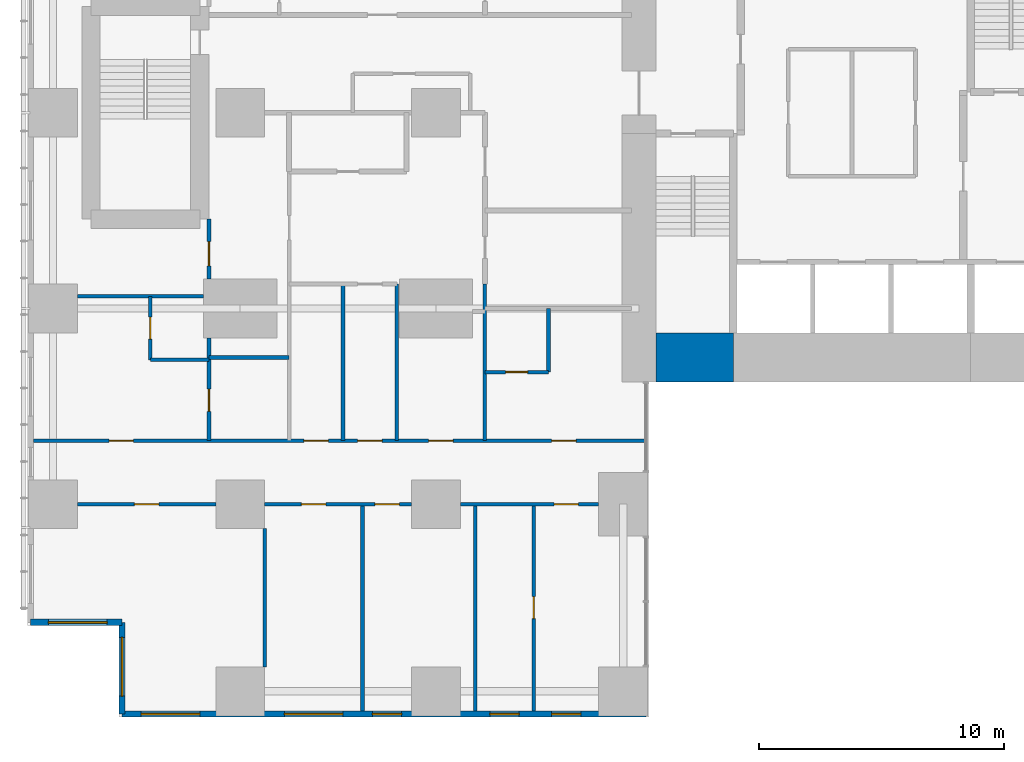
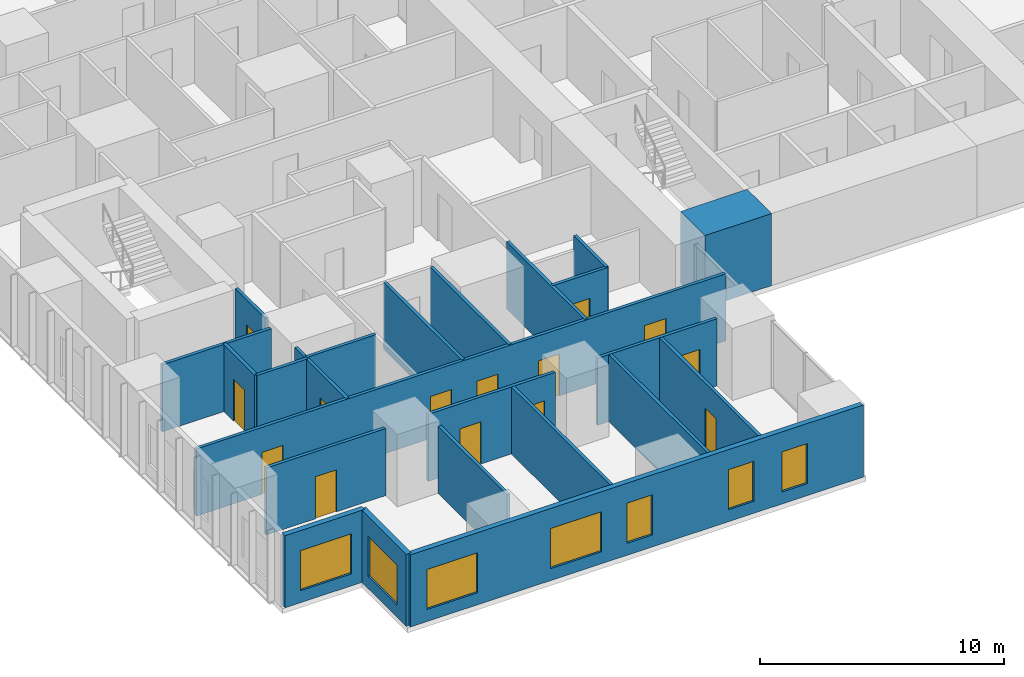
# One storey, part 12 of 20: 23 walls, 14 doors, 7 windows, 21 openings.
"""IFC4 building model written with IfcOpenShell, lengths in metres."""

from ifc_helpers import new_model, si_unit, direction, frame, frame_2d, origin, place, context, subcontext, project, spatial, rectangle, extrude, material, layer, layer_set, type_object, element, fill, save


model = new_model("IFC4")

# Units and contexts
model_context = context("Model", 3, precision=1e-05, world=origin(), true_north=direction((0.0, 1.0)))
body_context = subcontext(model_context, "Body", "Model", "MODEL_VIEW")
ifc_project = project(units=[si_unit("LENGTHUNIT", "METRE"), si_unit("AREAUNIT", "SQUARE_METRE"), si_unit("VOLUMEUNIT", "CUBIC_METRE"), si_unit("PLANEANGLEUNIT", "RADIAN"), si_unit("MASSUNIT", "GRAM", prefix="KILO")], contexts=[model_context])

# Site, building, storey
site_placement = place(None, origin())
site = spatial("IfcSite", under=ifc_project, at=site_placement, CompositionType="ELEMENT")
building_placement = place(site_placement, origin())
building = spatial("IfcBuilding", under=site, at=building_placement, Name="Cleftline Residences", CompositionType="ELEMENT")
storey_placement = place(building_placement, frame((0.0, 0.0, 54.800048828125)))
storey = spatial("IfcBuildingStorey", under=building, at=storey_placement, Name="L13", CompositionType="ELEMENT", Elevation=54.800048828125)

# Wall
ifc_material_1 = material(Name="Concrete B70", Category="concrete")
ifc_layer_1 = layer(ifc_material_1, 2.0)
ifc_layer_set_1 = layer_set([ifc_layer_1], Name="CORE WALL 2000")
wall_type_1 = type_object("IfcWallType", Name="CORE WALL 2000", PredefinedType="SHEAR", material=ifc_layer_set_1)
wall_1_placement = place(storey_placement, frame((25.0, 14.0, 0.0), z_axis=(0.0, 0.0, 1.0), x_axis=(1.0, 0.0, 0.0)))
element("IfcWall", 1, at=wall_1_placement, inside=storey, type_object=wall_type_1, Name="Core wall S1", PredefinedType="SHEAR", context=body_context, shape_type="SweptSolid", body=[
    extrude(rectangle(XDim=3.14990234375, YDim=2.0, at=frame_2d((1.574951171875, 0.0))), origin(), (0.0, 0.0, 1.0), 3.599853515625),
])

# Wall, opening, window
ifc_material_2 = material(Name="Rendered reinforced concrete blockwork", Category="masonry")
ifc_layer_2 = layer(ifc_material_2, 0.25)
ifc_layer_set_2 = layer_set([ifc_layer_2], Name="EXTERNAL WALL 250")
wall_type_2 = type_object("IfcWallType", Name="EXTERNAL WALL 250", PredefinedType="SOLIDWALL", material=ifc_layer_set_2)
wall_2_placement = place(storey_placement, frame((-0.574951171875, 3.175048828125, 0.0), z_axis=(0.0, 0.0, 1.0), x_axis=(1.0, 0.0, 0.0)))
wall_2 = element("IfcWall", 2, at=wall_2_placement, inside=storey, type_object=wall_type_2, Name="External wall", PredefinedType="SOLIDWALL", context=body_context, shape_type="SweptSolid", body=[
    extrude(rectangle(XDim=3.75, YDim=0.25, at=frame_2d((1.875, 0.0))), origin(), (0.0, 0.0, 1.0), 3.599853515625),
])
opening_1_placement = place(wall_2_placement, frame((0.737548828125, 0.0, 0.60009765625)))
opening_1 = element("IfcOpeningElement", 3, at=opening_1_placement, cuts=wall_2, Name="Opening W6", PredefinedType="OPENING", context=body_context, shape_type="SweptSolid", body=[
    extrude(rectangle(XDim=2.39990234375, YDim=2.0, at=frame_2d((1.199951171875, 1.0))), frame((0.0, 0.135009765625, 0.0), z_axis=(0.0, -1.0, 0.0), x_axis=(1.0, 0.0, 0.0)), (0.0, 0.0, 1.0), 0.27001953125),
])
ifc_material_3 = material(Name="Aluminium frame, clear double glazing", Category="aluminium")
window_type_1 = type_object("IfcWindowType", Name="WINDOW 2400X2000", PartitioningType="DOUBLE_PANEL_VERTICAL", PredefinedType="WINDOW", material=ifc_material_3)
window_1_placement = place(opening_1_placement, origin())
window_1 = element("IfcWindow", 4, at=window_1_placement, inside=storey, type_object=window_type_1, Name="Window", OverallHeight=2.0, OverallWidth=2.39990234375, PartitioningType="SINGLE_PANEL", PredefinedType="WINDOW", context=body_context, shape_type="SweptSolid", body=[
    extrude(rectangle(XDim=2.39990234375, YDim=2.0, at=frame_2d((1.199951171875, 1.0))), frame((0.0, 0.030029296875, 0.0), z_axis=(0.0, -1.0, 0.0), x_axis=(1.0, 0.0, 0.0)), (0.0, 0.0, 1.0), 0.06005859375),
])
fill(opening_1, window_1)

wall_3_placement = place(storey_placement, frame((3.175048828125, 3.175048828125, 0.0), z_axis=(0.0, 0.0, 1.0), x_axis=(0.0, -1.0, 0.0)))
wall_3 = element("IfcWall", 5, at=wall_3_placement, inside=storey, type_object=wall_type_2, Name="External wall", PredefinedType="SOLIDWALL", context=body_context, shape_type="SweptSolid", body=[
    extrude(rectangle(XDim=3.75, YDim=0.25, at=frame_2d((1.875, 0.0))), origin(), (0.0, 0.0, 1.0), 3.599853515625),
])
opening_2_placement = place(wall_3_placement, frame((0.612548828125, 0.0, 0.60009765625)))
opening_2 = element("IfcOpeningElement", 6, at=opening_2_placement, cuts=wall_3, Name="Opening W6", PredefinedType="OPENING", context=body_context, shape_type="SweptSolid", body=[
    extrude(rectangle(XDim=2.39990234375, YDim=2.0, at=frame_2d((1.199951171875, 1.0))), frame((0.0, 0.135009765625, 0.0), z_axis=(0.0, -1.0, 0.0), x_axis=(1.0, 0.0, 0.0)), (0.0, 0.0, 1.0), 0.27001953125),
])
window_2_placement = place(opening_2_placement, origin())
window_2 = element("IfcWindow", 7, at=window_2_placement, inside=storey, type_object=window_type_1, Name="Window", OverallHeight=2.0, OverallWidth=2.39990234375, PartitioningType="SINGLE_PANEL", PredefinedType="WINDOW", context=body_context, shape_type="SweptSolid", body=[
    extrude(rectangle(XDim=2.39990234375, YDim=2.0, at=frame_2d((1.199951171875, 1.0))), frame((0.0, 0.030029296875, 0.0), z_axis=(0.0, -1.0, 0.0), x_axis=(1.0, 0.0, 0.0)), (0.0, 0.0, 1.0), 0.06005859375),
])
fill(opening_2, window_2)

# Wall, openings, windows
wall_4_placement = place(storey_placement, frame((3.175048828125, -0.574951171875, 0.0), z_axis=(0.0, 0.0, 1.0), x_axis=(1.0, 0.0, 0.0)))
wall_4 = element("IfcWall", 8, at=wall_4_placement, inside=storey, type_object=wall_type_2, Name="External wall", PredefinedType="SOLIDWALL", context=body_context, shape_type="SweptSolid", body=[
    extrude(rectangle(XDim=21.39990234375, YDim=0.25, at=frame_2d((10.699951171875, 0.0))), origin(), (0.0, 0.0, 1.0), 3.599853515625),
])
opening_3_placement = place(wall_4_placement, frame((0.77490234375, 0.0, 0.60009765625)))
opening_3 = element("IfcOpeningElement", 9, at=opening_3_placement, cuts=wall_4, Name="Opening W6", PredefinedType="OPENING", context=body_context, shape_type="SweptSolid", body=[
    extrude(rectangle(XDim=2.39990234375, YDim=2.0, at=frame_2d((1.199951171875, 1.0))), frame((0.0, 0.135009765625, 0.0), z_axis=(0.0, -1.0, 0.0), x_axis=(1.0, 0.0, 0.0)), (0.0, 0.0, 1.0), 0.27001953125),
])
opening_4_placement = place(wall_4_placement, frame((6.625, 0.0, 0.60009765625)))
opening_4 = element("IfcOpeningElement", 10, at=opening_4_placement, cuts=wall_4, Name="Opening W6", PredefinedType="OPENING", context=body_context, shape_type="SweptSolid", body=[
    extrude(rectangle(XDim=2.39990234375, YDim=2.0, at=frame_2d((1.199951171875, 1.0))), frame((0.0, 0.135009765625, 0.0), z_axis=(0.0, -1.0, 0.0), x_axis=(1.0, 0.0, 0.0)), (0.0, 0.0, 1.0), 0.27001953125),
])
opening_5_placement = place(wall_4_placement, frame((10.22509765625, 0.0, 0.60009765625)))
opening_5 = element("IfcOpeningElement", 11, at=opening_5_placement, cuts=wall_4, Name="Opening W8", PredefinedType="OPENING", context=body_context, shape_type="SweptSolid", body=[
    extrude(rectangle(XDim=1.199951171875, YDim=2.0, at=frame_2d((0.60009765625, 1.0))), frame((0.0, 0.135009765625, 0.0), z_axis=(0.0, -1.0, 0.0), x_axis=(1.0, 0.0, 0.0)), (0.0, 0.0, 1.0), 0.27001953125),
])
opening_6_placement = place(wall_4_placement, frame((15.02490234375, 0.0, 0.60009765625)))
opening_6 = element("IfcOpeningElement", 12, at=opening_6_placement, cuts=wall_4, Name="Opening W8", PredefinedType="OPENING", context=body_context, shape_type="SweptSolid", body=[
    extrude(rectangle(XDim=1.199951171875, YDim=2.0, at=frame_2d((0.60009765625, 1.0))), frame((0.0, 0.135009765625, 0.0), z_axis=(0.0, -1.0, 0.0), x_axis=(1.0, 0.0, 0.0)), (0.0, 0.0, 1.0), 0.27001953125),
])
opening_7_placement = place(wall_4_placement, frame((17.550048828125, 0.0, 0.60009765625)))
opening_7 = element("IfcOpeningElement", 13, at=opening_7_placement, cuts=wall_4, Name="Opening W8", PredefinedType="OPENING", context=body_context, shape_type="SweptSolid", body=[
    extrude(rectangle(XDim=1.199951171875, YDim=2.0, at=frame_2d((0.60009765625, 1.0))), frame((0.0, 0.135009765625, 0.0), z_axis=(0.0, -1.0, 0.0), x_axis=(1.0, 0.0, 0.0)), (0.0, 0.0, 1.0), 0.27001953125),
])
ifc_material_4 = material(Name="Aluminium frame, clear double glazing", Category="aluminium")
window_type_2 = type_object("IfcWindowType", Name="WINDOW 1200X2000", PartitioningType="DOUBLE_PANEL_VERTICAL", PredefinedType="WINDOW", material=ifc_material_4)
window_3_placement = place(opening_5_placement, origin())
window_3 = element("IfcWindow", 14, at=window_3_placement, inside=storey, type_object=window_type_2, Name="Window", OverallHeight=2.0, OverallWidth=1.199951171875, PartitioningType="SINGLE_PANEL", PredefinedType="WINDOW", context=body_context, shape_type="SweptSolid", body=[
    extrude(rectangle(XDim=1.199951171875, YDim=2.0, at=frame_2d((0.60009765625, 1.0))), frame((0.0, 0.030029296875, 0.0), z_axis=(0.0, -1.0, 0.0), x_axis=(1.0, 0.0, 0.0)), (0.0, 0.0, 1.0), 0.06005859375),
])
fill(opening_5, window_3)
window_4_placement = place(opening_6_placement, origin())
window_4 = element("IfcWindow", 15, at=window_4_placement, inside=storey, type_object=window_type_2, Name="Window", OverallHeight=2.0, OverallWidth=1.199951171875, PartitioningType="SINGLE_PANEL", PredefinedType="WINDOW", context=body_context, shape_type="SweptSolid", body=[
    extrude(rectangle(XDim=1.199951171875, YDim=2.0, at=frame_2d((0.60009765625, 1.0))), frame((0.0, 0.030029296875, 0.0), z_axis=(0.0, -1.0, 0.0), x_axis=(1.0, 0.0, 0.0)), (0.0, 0.0, 1.0), 0.06005859375),
])
fill(opening_6, window_4)
window_5_placement = place(opening_7_placement, origin())
window_5 = element("IfcWindow", 16, at=window_5_placement, inside=storey, type_object=window_type_2, Name="Window", OverallHeight=2.0, OverallWidth=1.199951171875, PartitioningType="SINGLE_PANEL", PredefinedType="WINDOW", context=body_context, shape_type="SweptSolid", body=[
    extrude(rectangle(XDim=1.199951171875, YDim=2.0, at=frame_2d((0.60009765625, 1.0))), frame((0.0, 0.030029296875, 0.0), z_axis=(0.0, -1.0, 0.0), x_axis=(1.0, 0.0, 0.0)), (0.0, 0.0, 1.0), 0.06005859375),
])
fill(opening_7, window_5)
window_6_placement = place(opening_3_placement, origin())
window_6 = element("IfcWindow", 17, at=window_6_placement, inside=storey, type_object=window_type_1, Name="Window", OverallHeight=2.0, OverallWidth=2.39990234375, PartitioningType="SINGLE_PANEL", PredefinedType="WINDOW", context=body_context, shape_type="SweptSolid", body=[
    extrude(rectangle(XDim=2.39990234375, YDim=2.0, at=frame_2d((1.199951171875, 1.0))), frame((0.0, 0.030029296875, 0.0), z_axis=(0.0, -1.0, 0.0), x_axis=(1.0, 0.0, 0.0)), (0.0, 0.0, 1.0), 0.06005859375),
])
fill(opening_3, window_6)
window_7_placement = place(opening_4_placement, origin())
window_7 = element("IfcWindow", 18, at=window_7_placement, inside=storey, type_object=window_type_1, Name="Window", OverallHeight=2.0, OverallWidth=2.39990234375, PartitioningType="SINGLE_PANEL", PredefinedType="WINDOW", context=body_context, shape_type="SweptSolid", body=[
    extrude(rectangle(XDim=2.39990234375, YDim=2.0, at=frame_2d((1.199951171875, 1.0))), frame((0.0, 0.030029296875, 0.0), z_axis=(0.0, -1.0, 0.0), x_axis=(1.0, 0.0, 0.0)), (0.0, 0.0, 1.0), 0.06005859375),
])
fill(opening_4, window_7)

# Wall, opening, door
ifc_material_5 = material(Name="Gypsum board on steel studs", Category="steel")
ifc_layer_3 = layer(ifc_material_5, 0.14990234375)
ifc_layer_set_3 = layer_set([ifc_layer_3], Name="PARTITION 150")
wall_type_3 = type_object("IfcWallType", Name="PARTITION 150", PredefinedType="PARTITIONING", material=ifc_layer_set_3)
wall_5_placement = place(storey_placement, frame((1.35009765625, 8.0, 0.0), z_axis=(0.0, 0.0, 1.0), x_axis=(1.0, 0.0, 0.0)))
wall_5 = element("IfcWall", 19, at=wall_5_placement, inside=storey, type_object=wall_type_3, Name="Partition", PredefinedType="PARTITIONING", context=body_context, shape_type="SweptSolid", body=[
    extrude(rectangle(XDim=5.64990234375, YDim=0.14990234375, at=frame_2d((2.824951171875, 0.0))), origin(), (0.0, 0.0, 1.0), 3.349853515625),
])
opening_8_placement = place(wall_5_placement, frame((2.324951171875, 0.0, 0.0)))
opening_8 = element("IfcOpeningElement", 20, at=opening_8_placement, cuts=wall_5, Name="Opening D2", PredefinedType="OPENING", context=body_context, shape_type="SweptSolid", body=[
    extrude(rectangle(XDim=1.0, YDim=2.10009765625, at=frame_2d((0.5, 1.050048828125))), frame((0.0, 0.0849609375, 0.0), z_axis=(0.0, -1.0, 0.0), x_axis=(1.0, 0.0, 0.0)), (0.0, 0.0, 1.0), 0.169921875),
])
ifc_material_6 = material(Name="Timber veneer on solid core", Category="wood")
door_type_1 = type_object("IfcDoorType", Name="DOOR 1000X2100", OperationType="SINGLE_SWING_LEFT", PredefinedType="DOOR", material=ifc_material_6)
door_1_placement = place(opening_8_placement, origin())
door_1 = element("IfcDoor", 21, at=door_1_placement, inside=storey, type_object=door_type_1, Name="Door to living room", OperationType="SINGLE_SWING_LEFT", OverallHeight=2.10009765625, OverallWidth=1.0, PredefinedType="DOOR", context=body_context, shape_type="SweptSolid", body=[
    extrude(rectangle(XDim=1.0, YDim=2.10009765625, at=frame_2d((0.5, 1.050048828125))), frame((0.0, 0.02490234375, 0.0), z_axis=(0.0, -1.0, 0.0), x_axis=(1.0, 0.0, 0.0)), (0.0, 0.0, 1.0), 0.050048828125),
])
fill(opening_8, door_1)

# Wall, openings, doors
wall_6_placement = place(storey_placement, frame((9.0, 8.0, 0.0), z_axis=(0.0, 0.0, 1.0), x_axis=(1.0, 0.0, 0.0)))
wall_6 = element("IfcWall", 22, at=wall_6_placement, inside=storey, type_object=wall_type_3, Name="Partition", PredefinedType="PARTITIONING", context=body_context, shape_type="SweptSolid", body=[
    extrude(rectangle(XDim=6.0, YDim=0.14990234375, at=frame_2d((3.0, 0.0))), origin(), (0.0, 0.0, 1.0), 3.349853515625),
])
opening_9_placement = place(wall_6_placement, frame((1.5, 0.0, 0.0)))
opening_9 = element("IfcOpeningElement", 23, at=opening_9_placement, cuts=wall_6, Name="Opening D2", PredefinedType="OPENING", context=body_context, shape_type="SweptSolid", body=[
    extrude(rectangle(XDim=1.0, YDim=2.10009765625, at=frame_2d((0.5, 1.050048828125))), frame((0.0, 0.0849609375, 0.0), z_axis=(0.0, -1.0, 0.0), x_axis=(1.0, 0.0, 0.0)), (0.0, 0.0, 1.0), 0.169921875),
])
opening_10_placement = place(wall_6_placement, frame((4.5, 0.0, 0.0)))
opening_10 = element("IfcOpeningElement", 24, at=opening_10_placement, cuts=wall_6, Name="Opening D2", PredefinedType="OPENING", context=body_context, shape_type="SweptSolid", body=[
    extrude(rectangle(XDim=1.0, YDim=2.10009765625, at=frame_2d((0.5, 1.050048828125))), frame((0.0, 0.0849609375, 0.0), z_axis=(0.0, -1.0, 0.0), x_axis=(1.0, 0.0, 0.0)), (0.0, 0.0, 1.0), 0.169921875),
])
door_2_placement = place(opening_9_placement, origin())
door_2 = element("IfcDoor", 25, at=door_2_placement, inside=storey, type_object=door_type_1, Name="Door to dining room", OperationType="SINGLE_SWING_RIGHT", OverallHeight=2.10009765625, OverallWidth=1.0, PredefinedType="DOOR", context=body_context, shape_type="SweptSolid", body=[
    extrude(rectangle(XDim=1.0, YDim=2.10009765625, at=frame_2d((0.5, 1.050048828125))), frame((0.0, 0.02490234375, 0.0), z_axis=(0.0, -1.0, 0.0), x_axis=(1.0, 0.0, 0.0)), (0.0, 0.0, 1.0), 0.050048828125),
])
fill(opening_9, door_2)
door_3_placement = place(opening_10_placement, origin())
door_3 = element("IfcDoor", 26, at=door_3_placement, inside=storey, type_object=door_type_1, Name="Door to show kitchen", OperationType="SINGLE_SWING_LEFT", OverallHeight=2.10009765625, OverallWidth=1.0, PredefinedType="DOOR", context=body_context, shape_type="SweptSolid", body=[
    extrude(rectangle(XDim=1.0, YDim=2.10009765625, at=frame_2d((0.5, 1.050048828125))), frame((0.0, 0.02490234375, 0.0), z_axis=(0.0, -1.0, 0.0), x_axis=(1.0, 0.0, 0.0)), (0.0, 0.0, 1.0), 0.050048828125),
])
fill(opening_10, door_3)

# Wall, opening, door
wall_7_placement = place(storey_placement, frame((17.0, 8.0, 0.0), z_axis=(0.0, 0.0, 1.0), x_axis=(1.0, 0.0, 0.0)))
wall_7 = element("IfcWall", 27, at=wall_7_placement, inside=storey, type_object=wall_type_3, Name="Partition", PredefinedType="PARTITIONING", context=body_context, shape_type="SweptSolid", body=[
    extrude(rectangle(XDim=5.64990234375, YDim=0.14990234375, at=frame_2d((2.824951171875, 0.0))), origin(), (0.0, 0.0, 1.0), 3.349853515625),
])
opening_11_placement = place(wall_7_placement, frame((3.824951171875, 0.0, 0.0)))
opening_11 = element("IfcOpeningElement", 28, at=opening_11_placement, cuts=wall_7, Name="Opening D2", PredefinedType="OPENING", context=body_context, shape_type="SweptSolid", body=[
    extrude(rectangle(XDim=1.0, YDim=2.10009765625, at=frame_2d((0.5, 1.050048828125))), frame((0.0, 0.0849609375, 0.0), z_axis=(0.0, -1.0, 0.0), x_axis=(1.0, 0.0, 0.0)), (0.0, 0.0, 1.0), 0.169921875),
])
door_4_placement = place(opening_11_placement, origin())
door_4 = element("IfcDoor", 29, at=door_4_placement, inside=storey, type_object=door_type_1, Name="Door to bedroom 2", OperationType="SINGLE_SWING_LEFT", OverallHeight=2.10009765625, OverallWidth=1.0, PredefinedType="DOOR", context=body_context, shape_type="SweptSolid", body=[
    extrude(rectangle(XDim=1.0, YDim=2.10009765625, at=frame_2d((0.5, 1.050048828125))), frame((0.0, 0.02490234375, 0.0), z_axis=(0.0, -1.0, 0.0), x_axis=(1.0, 0.0, 0.0)), (0.0, 0.0, 1.0), 0.050048828125),
])
fill(opening_11, door_4)

# Wall, openings, doors
wall_8_placement = place(storey_placement, frame((-0.449951171875, 10.60009765625, 0.0), z_axis=(0.0, 0.0, 1.0), x_axis=(1.0, 0.0, 0.0)))
wall_8 = element("IfcWall", 30, at=wall_8_placement, inside=storey, type_object=wall_type_3, Name="Partition", PredefinedType="PARTITIONING", context=body_context, shape_type="SweptSolid", body=[
    extrude(rectangle(XDim=25.010986328125, YDim=0.14990234375, at=frame_2d((12.50537109375, 0.0))), origin(), (0.0, 0.0, 1.0), 3.349853515625),
])
opening_12_placement = place(wall_8_placement, frame((13.25, 0.0, 0.0)))
opening_12 = element("IfcOpeningElement", 31, at=opening_12_placement, cuts=wall_8, Name="Opening D2", PredefinedType="OPENING", context=body_context, shape_type="SweptSolid", body=[
    extrude(rectangle(XDim=1.0, YDim=2.10009765625, at=frame_2d((0.5, 1.050048828125))), frame((0.0, 0.0849609375, 0.0), z_axis=(0.0, -1.0, 0.0), x_axis=(1.0, 0.0, 0.0)), (0.0, 0.0, 1.0), 0.169921875),
])
opening_13_placement = place(wall_8_placement, frame((3.08740234375, 0.0, 0.0)))
opening_13 = element("IfcOpeningElement", 32, at=opening_13_placement, cuts=wall_8, Name="Opening D2", PredefinedType="OPENING", context=body_context, shape_type="SweptSolid", body=[
    extrude(rectangle(XDim=1.0, YDim=2.10009765625, at=frame_2d((0.5, 1.050048828125))), frame((0.0, 0.0849609375, 0.0), z_axis=(0.0, -1.0, 0.0), x_axis=(1.0, 0.0, 0.0)), (0.0, 0.0, 1.0), 0.169921875),
])
opening_14_placement = place(wall_8_placement, frame((11.050048828125, 0.0, 0.0)))
opening_14 = element("IfcOpeningElement", 33, at=opening_14_placement, cuts=wall_8, Name="Opening D2", PredefinedType="OPENING", context=body_context, shape_type="SweptSolid", body=[
    extrude(rectangle(XDim=1.0, YDim=2.10009765625, at=frame_2d((0.5, 1.050048828125))), frame((0.0, 0.0849609375, 0.0), z_axis=(0.0, -1.0, 0.0), x_axis=(1.0, 0.0, 0.0)), (0.0, 0.0, 1.0), 0.169921875),
])
opening_15_placement = place(wall_8_placement, frame((16.14990234375, 0.0, 0.0)))
opening_15 = element("IfcOpeningElement", 34, at=opening_15_placement, cuts=wall_8, Name="Opening D2", PredefinedType="OPENING", context=body_context, shape_type="SweptSolid", body=[
    extrude(rectangle(XDim=1.0, YDim=2.10009765625, at=frame_2d((0.5, 1.050048828125))), frame((0.0, 0.0849609375, 0.0), z_axis=(0.0, -1.0, 0.0), x_axis=(1.0, 0.0, 0.0)), (0.0, 0.0, 1.0), 0.169921875),
])
opening_16_placement = place(wall_8_placement, frame((21.175048828125, 0.0, 0.0)))
opening_16 = element("IfcOpeningElement", 35, at=opening_16_placement, cuts=wall_8, Name="Opening D2", PredefinedType="OPENING", context=body_context, shape_type="SweptSolid", body=[
    extrude(rectangle(XDim=1.0, YDim=2.10009765625, at=frame_2d((0.5, 1.050048828125))), frame((0.0, 0.0849609375, 0.0), z_axis=(0.0, -1.0, 0.0), x_axis=(1.0, 0.0, 0.0)), (0.0, 0.0, 1.0), 0.169921875),
])
door_5_placement = place(opening_12_placement, origin())
door_5 = element("IfcDoor", 36, at=door_5_placement, inside=storey, type_object=door_type_1, Name="Door to residence hall", OperationType="SINGLE_SWING_LEFT", OverallHeight=2.10009765625, OverallWidth=1.0, PredefinedType="DOOR", context=body_context, shape_type="SweptSolid", body=[
    extrude(rectangle(XDim=1.0, YDim=2.10009765625, at=frame_2d((0.5, 1.050048828125))), frame((0.0, 0.02490234375, 0.0), z_axis=(0.0, -1.0, 0.0), x_axis=(1.0, 0.0, 0.0)), (0.0, 0.0, 1.0), 0.050048828125),
])
fill(opening_12, door_5)
door_6_placement = place(opening_13_placement, origin())
door_6 = element("IfcDoor", 37, at=door_6_placement, inside=storey, type_object=door_type_1, Name="Door to master bedroom", OperationType="SINGLE_SWING_RIGHT", OverallHeight=2.10009765625, OverallWidth=1.0, PredefinedType="DOOR", context=body_context, shape_type="SweptSolid", body=[
    extrude(rectangle(XDim=1.0, YDim=2.10009765625, at=frame_2d((0.5, 1.050048828125))), frame((0.0, 0.02490234375, 0.0), z_axis=(0.0, -1.0, 0.0), x_axis=(1.0, 0.0, 0.0)), (0.0, 0.0, 1.0), 0.050048828125),
])
fill(opening_13, door_6)
door_7_placement = place(opening_14_placement, origin())
door_7 = element("IfcDoor", 38, at=door_7_placement, inside=storey, type_object=door_type_1, Name="Door to wet kitchen", OperationType="SINGLE_SWING_RIGHT", OverallHeight=2.10009765625, OverallWidth=1.0, PredefinedType="DOOR", context=body_context, shape_type="SweptSolid", body=[
    extrude(rectangle(XDim=1.0, YDim=2.10009765625, at=frame_2d((0.5, 1.050048828125))), frame((0.0, 0.02490234375, 0.0), z_axis=(0.0, -1.0, 0.0), x_axis=(1.0, 0.0, 0.0)), (0.0, 0.0, 1.0), 0.050048828125),
])
fill(opening_14, door_7)
door_8_placement = place(opening_15_placement, origin())
door_8 = element("IfcDoor", 39, at=door_8_placement, inside=storey, type_object=door_type_1, Name="Door to family room", OperationType="SINGLE_SWING_LEFT", OverallHeight=2.10009765625, OverallWidth=1.0, PredefinedType="DOOR", context=body_context, shape_type="SweptSolid", body=[
    extrude(rectangle(XDim=1.0, YDim=2.10009765625, at=frame_2d((0.5, 1.050048828125))), frame((0.0, 0.02490234375, 0.0), z_axis=(0.0, -1.0, 0.0), x_axis=(1.0, 0.0, 0.0)), (0.0, 0.0, 1.0), 0.050048828125),
])
fill(opening_15, door_8)
door_9_placement = place(opening_16_placement, origin())
door_9 = element("IfcDoor", 40, at=door_9_placement, inside=storey, type_object=door_type_1, Name="Door to bedroom 3", OperationType="SINGLE_SWING_LEFT", OverallHeight=2.10009765625, OverallWidth=1.0, PredefinedType="DOOR", context=body_context, shape_type="SweptSolid", body=[
    extrude(rectangle(XDim=1.0, YDim=2.10009765625, at=frame_2d((0.5, 1.050048828125))), frame((0.0, 0.02490234375, 0.0), z_axis=(0.0, -1.0, 0.0), x_axis=(1.0, 0.0, 0.0)), (0.0, 0.0, 1.0), 0.050048828125),
])
fill(opening_16, door_9)

# Wall, opening, door
wall_9_placement = place(storey_placement, frame((18.0, 13.39990234375, 0.0), z_axis=(0.0, 0.0, 1.0), x_axis=(1.0, 0.0, 0.0)))
wall_9 = element("IfcWall", 41, at=wall_9_placement, inside=storey, type_object=wall_type_3, Name="Partition", PredefinedType="PARTITIONING", context=body_context, shape_type="SweptSolid", body=[
    extrude(rectangle(XDim=2.60009765625, YDim=0.14990234375, at=frame_2d((1.300048828125, 0.0))), origin(), (0.0, 0.0, 1.0), 3.349853515625),
])
opening_17_placement = place(wall_9_placement, frame((0.85009765625, 0.0, 0.0)))
opening_17 = element("IfcOpeningElement", 42, at=opening_17_placement, cuts=wall_9, Name="Opening D1", PredefinedType="OPENING", context=body_context, shape_type="SweptSolid", body=[
    extrude(rectangle(XDim=0.89990234375, YDim=2.10009765625, at=frame_2d((0.449951171875, 1.050048828125))), frame((0.0, 0.0849609375, 0.0), z_axis=(0.0, -1.0, 0.0), x_axis=(1.0, 0.0, 0.0)), (0.0, 0.0, 1.0), 0.169921875),
])
ifc_material_7 = material(Name="Timber veneer on solid core", Category="wood")
door_type_2 = type_object("IfcDoorType", Name="DOOR 900X2100", OperationType="SINGLE_SWING_LEFT", PredefinedType="DOOR", material=ifc_material_7)
door_10_placement = place(opening_17_placement, origin())
door_10 = element("IfcDoor", 43, at=door_10_placement, inside=storey, type_object=door_type_2, Name="Door to en-suite bathroom 3", OperationType="SINGLE_SWING_LEFT", OverallHeight=2.10009765625, OverallWidth=0.89990234375, PredefinedType="DOOR", context=body_context, shape_type="SweptSolid", body=[
    extrude(rectangle(XDim=0.89990234375, YDim=2.10009765625, at=frame_2d((0.449951171875, 1.050048828125))), frame((0.0, 0.02490234375, 0.0), z_axis=(0.0, -1.0, 0.0), x_axis=(1.0, 0.0, 0.0)), (0.0, 0.0, 1.0), 0.050048828125),
])
fill(opening_17, door_10)

# Walls
wall_10_placement = place(storey_placement, frame((4.324951171875, 13.89990234375, 0.0), z_axis=(0.0, 0.0, 1.0), x_axis=(1.0, 0.0, 0.0)))
element("IfcWall", 44, at=wall_10_placement, inside=storey, type_object=wall_type_3, Name="Partition", PredefinedType="PARTITIONING", context=body_context, shape_type="SweptSolid", body=[
    extrude(rectangle(XDim=2.400146484375, YDim=0.14990234375, at=frame_2d((1.2001953125, 0.0))), origin(), (0.0, 0.0, 1.0), 3.349853515625),
])
wall_11_placement = place(storey_placement, frame((6.72509765625, 14.0, 0.0), z_axis=(0.0, 0.0, 1.0), x_axis=(1.0, 0.0, 0.0)))
element("IfcWall", 45, at=wall_11_placement, inside=storey, type_object=wall_type_3, Name="Partition", PredefinedType="PARTITIONING", context=body_context, shape_type="SweptSolid", body=[
    extrude(rectangle(XDim=3.27490234375, YDim=0.14990234375, at=frame_2d((1.637451171875, 0.0))), origin(), (0.0, 0.0, 1.0), 3.349853515625),
])
wall_12_placement = place(storey_placement, frame((1.35009765625, 16.5, 0.0), z_axis=(0.0, 0.0, 1.0), x_axis=(1.0, 0.0, 0.0)))
element("IfcWall", 46, at=wall_12_placement, inside=storey, type_object=wall_type_3, Name="Partition", PredefinedType="PARTITIONING", context=body_context, shape_type="SweptSolid", body=[
    extrude(rectangle(XDim=5.14990234375, YDim=0.14990234375, at=frame_2d((2.574951171875, 0.0))), origin(), (0.0, 0.0, 1.0), 3.349853515625),
])

# Wall, opening, door
wall_13_placement = place(storey_placement, frame((4.324951171875, 13.89990234375, 0.0), z_axis=(0.0, 0.0, 1.0), x_axis=(0.0, 1.0, 0.0)))
wall_13 = element("IfcWall", 47, at=wall_13_placement, inside=storey, type_object=wall_type_3, Name="Partition", PredefinedType="PARTITIONING", context=body_context, shape_type="SweptSolid", body=[
    extrude(rectangle(XDim=2.60009765625, YDim=0.14990234375, at=frame_2d((1.300048828125, 0.0))), origin(), (0.0, 0.0, 1.0), 3.349853515625),
])
opening_18_placement = place(wall_13_placement, frame((0.85009765625, 0.0, 0.0)))
opening_18 = element("IfcOpeningElement", 48, at=opening_18_placement, cuts=wall_13, Name="Opening D1", PredefinedType="OPENING", context=body_context, shape_type="SweptSolid", body=[
    extrude(rectangle(XDim=0.89990234375, YDim=2.10009765625, at=frame_2d((0.449951171875, 1.050048828125))), frame((0.0, 0.0849609375, 0.0), z_axis=(0.0, -1.0, 0.0), x_axis=(1.0, 0.0, 0.0)), (0.0, 0.0, 1.0), 0.169921875),
])
door_11_placement = place(opening_18_placement, origin())
door_11 = element("IfcDoor", 49, at=door_11_placement, inside=storey, type_object=door_type_2, Name="Door to master bathroom", OperationType="SINGLE_SWING_LEFT", OverallHeight=2.10009765625, OverallWidth=0.89990234375, PredefinedType="DOOR", context=body_context, shape_type="SweptSolid", body=[
    extrude(rectangle(XDim=0.89990234375, YDim=2.10009765625, at=frame_2d((0.449951171875, 1.050048828125))), frame((0.0, 0.02490234375, 0.0), z_axis=(0.0, -1.0, 0.0), x_axis=(1.0, 0.0, 0.0)), (0.0, 0.0, 1.0), 0.050048828125),
])
fill(opening_18, door_11)

wall_14_placement = place(storey_placement, frame((6.72509765625, 10.60009765625, 0.0), z_axis=(0.0, 0.0, 1.0), x_axis=(0.0, 1.0, 0.0)))
wall_14 = element("IfcWall", 50, at=wall_14_placement, inside=storey, type_object=wall_type_3, Name="Partition", PredefinedType="PARTITIONING", context=body_context, shape_type="SweptSolid", body=[
    extrude(rectangle(XDim=4.199951171875, YDim=0.14990234375, at=frame_2d((2.10009765625, 0.0))), origin(), (0.0, 0.0, 1.0), 3.349853515625),
])
opening_19_placement = place(wall_14_placement, frame((1.199951171875, 0.0, 0.0)))
opening_19 = element("IfcOpeningElement", 51, at=opening_19_placement, cuts=wall_14, Name="Opening D1", PredefinedType="OPENING", context=body_context, shape_type="SweptSolid", body=[
    extrude(rectangle(XDim=0.89990234375, YDim=2.10009765625, at=frame_2d((0.449951171875, 1.050048828125))), frame((0.0, 0.0849609375, 0.0), z_axis=(0.0, -1.0, 0.0), x_axis=(1.0, 0.0, 0.0)), (0.0, 0.0, 1.0), 0.169921875),
])
door_12_placement = place(opening_19_placement, origin())
door_12 = element("IfcDoor", 52, at=door_12_placement, inside=storey, type_object=door_type_2, Name="Door to master dressing room", OperationType="SINGLE_SWING_RIGHT", OverallHeight=2.10009765625, OverallWidth=0.89990234375, PredefinedType="DOOR", context=body_context, shape_type="SweptSolid", body=[
    extrude(rectangle(XDim=0.89990234375, YDim=2.10009765625, at=frame_2d((0.449951171875, 1.050048828125))), frame((0.0, 0.02490234375, 0.0), z_axis=(0.0, -1.0, 0.0), x_axis=(1.0, 0.0, 0.0)), (0.0, 0.0, 1.0), 0.050048828125),
])
fill(opening_19, door_12)

wall_15_placement = place(storey_placement, frame((6.72509765625, 17.199951171875, 0.0), z_axis=(0.0, 0.0, 1.0), x_axis=(0.0, 1.0, 0.0)))
wall_15 = element("IfcWall", 53, at=wall_15_placement, inside=storey, type_object=wall_type_3, Name="Partition", PredefinedType="PARTITIONING", context=body_context, shape_type="SweptSolid", body=[
    extrude(rectangle(XDim=2.449951171875, YDim=0.14990234375, at=frame_2d((1.22509765625, 0.0))), origin(), (0.0, 0.0, 1.0), 3.349853515625),
])
opening_20_placement = place(wall_15_placement, frame((0.53759765625, 0.0, 0.0)))
opening_20 = element("IfcOpeningElement", 54, at=opening_20_placement, cuts=wall_15, Name="Opening D2", PredefinedType="OPENING", context=body_context, shape_type="SweptSolid", body=[
    extrude(rectangle(XDim=1.0, YDim=2.10009765625, at=frame_2d((0.5, 1.050048828125))), frame((0.0, 0.0849609375, 0.0), z_axis=(0.0, -1.0, 0.0), x_axis=(1.0, 0.0, 0.0)), (0.0, 0.0, 1.0), 0.169921875),
])
door_13_placement = place(opening_20_placement, origin())
door_13 = element("IfcDoor", 55, at=door_13_placement, inside=storey, type_object=door_type_1, Name="Door to winter garden", OperationType="SINGLE_SWING_RIGHT", OverallHeight=2.10009765625, OverallWidth=1.0, PredefinedType="DOOR", context=body_context, shape_type="SweptSolid", body=[
    extrude(rectangle(XDim=1.0, YDim=2.10009765625, at=frame_2d((0.5, 1.050048828125))), frame((0.0, 0.02490234375, 0.0), z_axis=(0.0, -1.0, 0.0), x_axis=(1.0, 0.0, 0.0)), (0.0, 0.0, 1.0), 0.050048828125),
])
fill(opening_20, door_13)

# Walls
wall_16_placement = place(storey_placement, frame((9.0, 1.35009765625, 0.0), z_axis=(0.0, 0.0, 1.0), x_axis=(0.0, 1.0, 0.0)))
element("IfcWall", 56, at=wall_16_placement, inside=storey, type_object=wall_type_3, Name="Partition", PredefinedType="PARTITIONING", context=body_context, shape_type="SweptSolid", body=[
    extrude(rectangle(XDim=5.64990234375, YDim=0.14990234375, at=frame_2d((2.824951171875, 0.0))), origin(), (0.0, 0.0, 1.0), 3.349853515625),
])
wall_17_placement = place(storey_placement, frame((12.199951171875, 10.60009765625, 0.0), z_axis=(0.0, 0.0, 1.0), x_axis=(0.0, 1.0, 0.0)))
element("IfcWall", 57, at=wall_17_placement, inside=storey, type_object=wall_type_3, Name="Partition", PredefinedType="PARTITIONING", context=body_context, shape_type="SweptSolid", body=[
    extrude(rectangle(XDim=6.39990234375, YDim=0.14990234375, at=frame_2d((3.199951171875, 0.0))), origin(), (0.0, 0.0, 1.0), 3.349853515625),
])
wall_18_placement = place(storey_placement, frame((13.0, -0.449951171875, 0.0), z_axis=(0.0, 0.0, 1.0), x_axis=(0.0, 1.0, 0.0)))
element("IfcWall", 58, at=wall_18_placement, inside=storey, type_object=wall_type_3, Name="Partition", PredefinedType="PARTITIONING", context=body_context, shape_type="SweptSolid", body=[
    extrude(rectangle(XDim=8.449951171875, YDim=0.14990234375, at=frame_2d((4.22509765625, 0.0))), origin(), (0.0, 0.0, 1.0), 3.349853515625),
])
wall_19_placement = place(storey_placement, frame((14.39990234375, 10.60009765625, 0.0), z_axis=(0.0, 0.0, 1.0), x_axis=(0.0, 1.0, 0.0)))
element("IfcWall", 59, at=wall_19_placement, inside=storey, type_object=wall_type_3, Name="Partition", PredefinedType="PARTITIONING", context=body_context, shape_type="SweptSolid", body=[
    extrude(rectangle(XDim=6.39990234375, YDim=0.14990234375, at=frame_2d((3.199951171875, 0.0))), origin(), (0.0, 0.0, 1.0), 3.349853515625),
])
wall_20_placement = place(storey_placement, frame((17.60009765625, -0.449951171875, 0.0), z_axis=(0.0, 0.0, 1.0), x_axis=(0.0, 1.0, 0.0)))
element("IfcWall", 60, at=wall_20_placement, inside=storey, type_object=wall_type_3, Name="Partition", PredefinedType="PARTITIONING", context=body_context, shape_type="SweptSolid", body=[
    extrude(rectangle(XDim=8.449951171875, YDim=0.14990234375, at=frame_2d((4.22509765625, 0.0))), origin(), (0.0, 0.0, 1.0), 3.349853515625),
])
wall_21_placement = place(storey_placement, frame((18.0, 10.60009765625, 0.0), z_axis=(0.0, 0.0, 1.0), x_axis=(0.0, 1.0, 0.0)))
element("IfcWall", 61, at=wall_21_placement, inside=storey, type_object=wall_type_3, Name="Partition", PredefinedType="PARTITIONING", context=body_context, shape_type="SweptSolid", body=[
    extrude(rectangle(XDim=6.39990234375, YDim=0.14990234375, at=frame_2d((3.199951171875, 0.0))), origin(), (0.0, 0.0, 1.0), 3.349853515625),
])

# Wall, opening, door
wall_22_placement = place(storey_placement, frame((20.0, -0.449951171875, 0.0), z_axis=(0.0, 0.0, 1.0), x_axis=(0.0, 1.0, 0.0)))
wall_22 = element("IfcWall", 62, at=wall_22_placement, inside=storey, type_object=wall_type_3, Name="Partition", PredefinedType="PARTITIONING", context=body_context, shape_type="SweptSolid", body=[
    extrude(rectangle(XDim=8.449951171875, YDim=0.14990234375, at=frame_2d((4.22509765625, 0.0))), origin(), (0.0, 0.0, 1.0), 3.349853515625),
])
opening_21_placement = place(wall_22_placement, frame((3.77490234375, 0.0, 0.0)))
opening_21 = element("IfcOpeningElement", 63, at=opening_21_placement, cuts=wall_22, Name="Opening D1", PredefinedType="OPENING", context=body_context, shape_type="SweptSolid", body=[
    extrude(rectangle(XDim=0.89990234375, YDim=2.10009765625, at=frame_2d((0.449951171875, 1.050048828125))), frame((0.0, 0.0849609375, 0.0), z_axis=(0.0, -1.0, 0.0), x_axis=(1.0, 0.0, 0.0)), (0.0, 0.0, 1.0), 0.169921875),
])
door_14_placement = place(opening_21_placement, origin())
door_14 = element("IfcDoor", 64, at=door_14_placement, inside=storey, type_object=door_type_2, Name="Door to en-suite bathroom 2", OperationType="SINGLE_SWING_LEFT", OverallHeight=2.10009765625, OverallWidth=0.89990234375, PredefinedType="DOOR", context=body_context, shape_type="SweptSolid", body=[
    extrude(rectangle(XDim=0.89990234375, YDim=2.10009765625, at=frame_2d((0.449951171875, 1.050048828125))), frame((0.0, 0.02490234375, 0.0), z_axis=(0.0, -1.0, 0.0), x_axis=(1.0, 0.0, 0.0)), (0.0, 0.0, 1.0), 0.050048828125),
])
fill(opening_21, door_14)

# Wall
wall_23_placement = place(storey_placement, frame((20.60009765625, 13.39990234375, 0.0), z_axis=(0.0, 0.0, 1.0), x_axis=(0.0, 1.0, 0.0)))
element("IfcWall", 65, at=wall_23_placement, inside=storey, type_object=wall_type_3, Name="Partition", PredefinedType="PARTITIONING", context=body_context, shape_type="SweptSolid", body=[
    extrude(rectangle(XDim=2.60009765625, YDim=0.14990234375, at=frame_2d((1.300048828125, 0.0))), origin(), (0.0, 0.0, 1.0), 3.349853515625),
])

save(model, "model.ifc")
